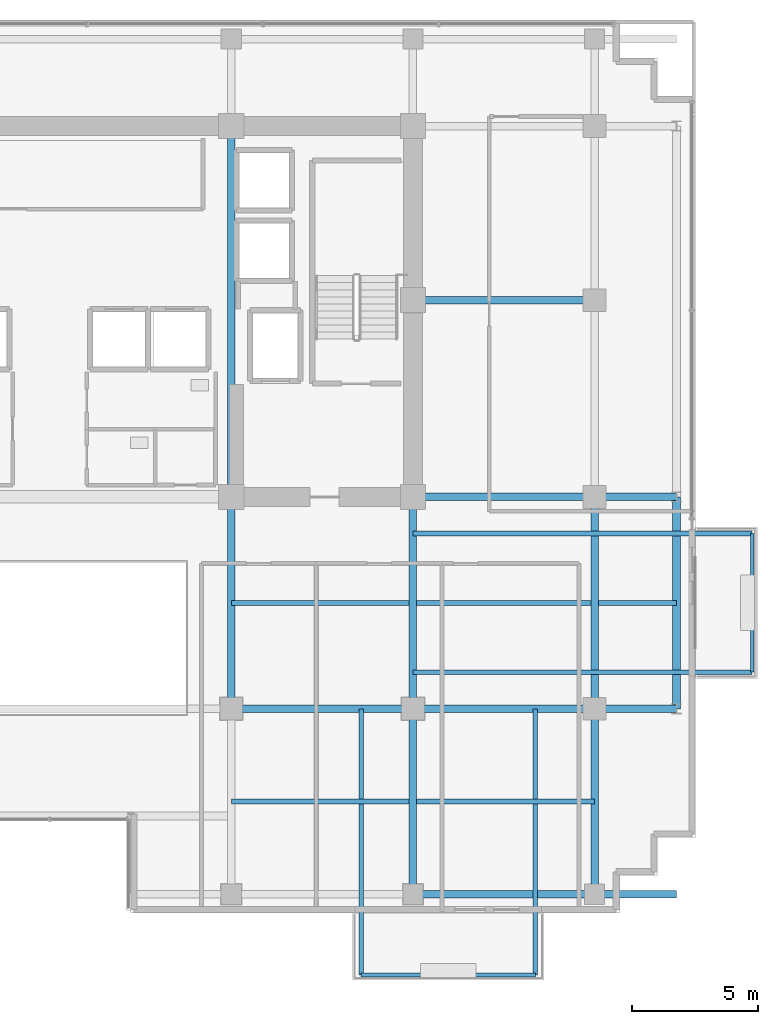
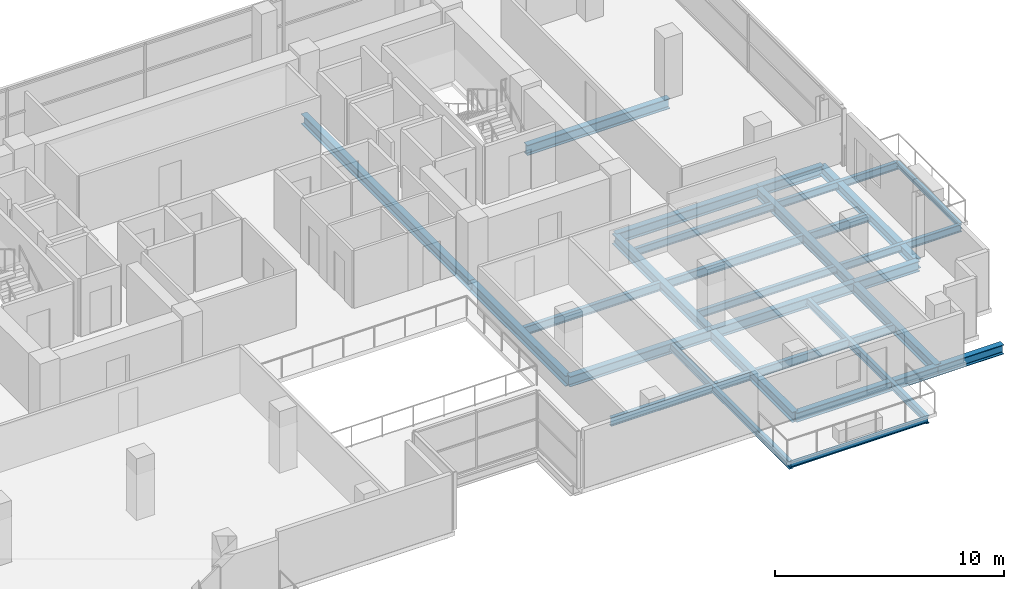
# One storey, part 12 of 27: 26 beams.
"""IFC4 building model written with IfcOpenShell, lengths in metres."""

from ifc_helpers import new_model, si_unit, direction, frame, origin, origin_2d, place, context, subcontext, project, spatial, i_section, extrude, material, material_profile, profile_set, type_object, element, save


model = new_model("IFC4")

# Units and contexts
model_context = context("Model", 3, precision=1e-05, world=origin(), true_north=direction((0.0, 1.0)))
body_context = subcontext(model_context, "Body", "Model", "MODEL_VIEW")
ifc_project = project(units=[si_unit("LENGTHUNIT", "METRE"), si_unit("AREAUNIT", "SQUARE_METRE"), si_unit("VOLUMEUNIT", "CUBIC_METRE"), si_unit("PLANEANGLEUNIT", "RADIAN"), si_unit("MASSUNIT", "GRAM", prefix="KILO")], contexts=[model_context])

# Site, building, storey
site_placement = place(None, origin())
site = spatial("IfcSite", under=ifc_project, at=site_placement, CompositionType="ELEMENT")
building_placement = place(site_placement, origin())
building = spatial("IfcBuilding", under=site, at=building_placement, Name="Zarnakvel Exchange Tower", CompositionType="ELEMENT")
storey_placement = place(building_placement, frame((0.0, 0.0, 106.60009765625)))
storey = spatial("IfcBuildingStorey", under=building, at=storey_placement, Name="L29", CompositionType="ELEMENT", Elevation=106.60009765625)

# Beams
ifc_material = material(Name="Steel S355", Category="steel")
ifc_material_profile_1 = material_profile(ifc_material, i_section(OverallWidth=0.18994140625, OverallDepth=0.449951171875, WebThickness=0.009521484375, FlangeThickness=0.0146484375, FilletRadius=0.02099609375, at=origin_2d()))
ifc_profile_set_1 = profile_set([ifc_material_profile_1], Name="Steel S355")
beam_type_1 = type_object("IfcBeamType", Name="B-05", PredefinedType="JOIST", material=ifc_profile_set_1)
for number, where, z_axis, x_axis, name in (
    (1, (7.199951171875, -13.27490234375, -0.4501953125), (1.0, 0.0, 0.0), (0.0, 1.0, 0.0), "L29 Composite Floor Secondary Joist"),
    (2, (14.550048828125, -13.27490234375, -0.4501953125), (1.0, 0.0, 0.0), (0.0, 1.0, 0.0), "L29 Composite Floor Secondary Joist"),
    (3, (7.199951171875, -5.39990234375, -0.4501953125), (1.0, 0.0, 0.0), (0.0, 1.0, 0.0), "L29 Composite Floor Secondary Joist"),
):
    element("IfcBeam", number, at=place(storey_placement, frame(where, z_axis=z_axis, x_axis=x_axis)), inside=storey, type_object=beam_type_1, Name=name, PredefinedType="JOIST", context=body_context, shape_type="SweptSolid", body=[
        extrude(i_section(OverallWidth=0.18994140625, OverallDepth=0.449951171875, WebThickness=0.009521484375, FlangeThickness=0.0146484375, FilletRadius=0.02099609375, at=origin_2d()), origin(), (0.0, 0.0, 1.0), 7.050048828125),
    ])
beam_1_placement = place(storey_placement, frame((14.550048828125, -5.39990234375, -0.4501953125), z_axis=(1.0, 0.0, 0.0), x_axis=(0.0, 1.0, 0.0)))
element("IfcBeam", 4, at=beam_1_placement, inside=storey, type_object=beam_type_1, Name="L29 Composite Floor Secondary Joist", PredefinedType="JOIST", context=body_context, shape_type="SweptSolid", body=[
    extrude(i_section(OverallWidth=0.18994140625, OverallDepth=0.449951171875, WebThickness=0.009521484375, FlangeThickness=0.0146484375, FilletRadius=0.02099609375, at=origin_2d()), origin(), (0.0, 0.0, 1.0), 6.89990234375),
])
beam_2_placement = place(storey_placement, frame((21.75, -5.39990234375, -0.4501953125), z_axis=(1.0, 0.0, 0.0), x_axis=(0.0, 1.0, 0.0)))
element("IfcBeam", 5, at=beam_2_placement, inside=storey, type_object=beam_type_1, Name="L29 Composite Floor Secondary Joist", PredefinedType="JOIST", context=body_context, shape_type="SweptSolid", body=[
    extrude(i_section(OverallWidth=0.18994140625, OverallDepth=0.449951171875, WebThickness=0.009521484375, FlangeThickness=0.0146484375, FilletRadius=0.02099609375, at=origin_2d()), origin(), (0.0, 0.0, 1.0), 3.10009765625),
])
ifc_material_profile_2 = material_profile(ifc_material, i_section(OverallWidth=0.179931640625, OverallDepth=0.39990234375, WebThickness=0.008544921875, FlangeThickness=0.013427734375, FilletRadius=0.02099609375, at=origin_2d()))
ifc_profile_set_2 = profile_set([ifc_material_profile_2], Name="Steel S355")
beam_type_2 = type_object("IfcBeamType", Name="B-06", PredefinedType="JOIST", material=ifc_profile_set_2)
for number, where, z_axis, x_axis, name in (
    (6, (12.35009765625, -9.60009765625, -0.425048828125), (0.0, -1.0, 0.0), (1.0, 0.0, 0.0), "L29 Continuous Back-Spanned Balcony Beam W"),
    (7, (19.25, -9.60009765625, -0.425048828125), (0.0, -1.0, 0.0), (1.0, 0.0, 0.0), "L29 Continuous Back-Spanned Balcony Beam E"),
):
    element("IfcBeam", number, at=place(storey_placement, frame(where, z_axis=z_axis, x_axis=x_axis)), inside=storey, type_object=beam_type_2, Name=name, PredefinedType="JOIST", context=body_context, shape_type="SweptSolid", body=[
        extrude(i_section(OverallWidth=0.179931640625, OverallDepth=0.39990234375, WebThickness=0.008544921875, FlangeThickness=0.013427734375, FilletRadius=0.02099609375, at=origin_2d()), origin(), (0.0, 0.0, 1.0), 10.5498046875),
    ])
for number, where, z_axis, x_axis, name in (
    (8, (14.39990234375, -8.14990234375, -0.425048828125), (1.0, 0.0, 0.0), (0.0, 1.0, 0.0), "L29 Continuous East Loggia Beam S"),
    (9, (14.39990234375, -2.64990234375, -0.425048828125), (1.0, 0.0, 0.0), (0.0, 1.0, 0.0), "L29 Continuous East Loggia Beam N"),
):
    element("IfcBeam", number, at=place(storey_placement, frame(where, z_axis=z_axis, x_axis=x_axis)), inside=storey, type_object=beam_type_2, Name=name, PredefinedType="JOIST", context=body_context, shape_type="SweptSolid", body=[
        extrude(i_section(OverallWidth=0.179931640625, OverallDepth=0.39990234375, WebThickness=0.008544921875, FlangeThickness=0.013427734375, FilletRadius=0.02099609375, at=origin_2d()), origin(), (0.0, 0.0, 1.0), 13.4501953125),
    ])
ifc_material_profile_3 = material_profile(ifc_material, i_section(OverallWidth=0.14990234375, OverallDepth=0.300048828125, WebThickness=0.007080078125, FlangeThickness=0.0107421875, FilletRadius=0.014892578125, at=origin_2d()))
ifc_profile_set_3 = profile_set([ifc_material_profile_3], Name="Steel S355")
beam_type_3 = type_object("IfcBeamType", Name="B-08", PredefinedType="JOIST", material=ifc_profile_set_3)
beam_3_placement = place(storey_placement, frame((12.35009765625, -20.14990234375, -0.375), z_axis=(1.0, 0.0, 0.0), x_axis=(0.0, 1.0, 0.0)))
element("IfcBeam", 10, at=beam_3_placement, inside=storey, type_object=beam_type_3, Name="L29 Balcony Edge Beam", PredefinedType="JOIST", context=body_context, shape_type="SweptSolid", body=[
    extrude(i_section(OverallWidth=0.14990234375, OverallDepth=0.300048828125, WebThickness=0.007080078125, FlangeThickness=0.0107421875, FilletRadius=0.014892578125, at=origin_2d()), origin(), (0.0, 0.0, 1.0), 6.89990234375),
])
beam_4_placement = place(storey_placement, frame((27.85009765625, -8.14990234375, -0.375), z_axis=(0.0, 1.0, 0.0), x_axis=(-1.0, 0.0, 0.0)))
element("IfcBeam", 11, at=beam_4_placement, inside=storey, type_object=beam_type_3, Name="L29 East Loggia Edge Beam", PredefinedType="JOIST", context=body_context, shape_type="SweptSolid", body=[
    extrude(i_section(OverallWidth=0.14990234375, OverallDepth=0.300048828125, WebThickness=0.007080078125, FlangeThickness=0.0107421875, FilletRadius=0.014892578125, at=origin_2d()), origin(), (0.0, 0.0, 1.0), 5.5),
])
ifc_material_profile_4 = material_profile(ifc_material, i_section(OverallWidth=0.300048828125, OverallDepth=0.550048828125, WebThickness=0.014892578125, FlangeThickness=0.029052734375, FilletRadius=0.027099609375, at=origin_2d()))
ifc_profile_set_4 = profile_set([ifc_material_profile_4], Name="Steel S355")
beam_type_4 = type_object("IfcBeamType", Name="G-05", PredefinedType="BEAM", material=ifc_profile_set_4)
beam_5_placement = place(storey_placement, frame((7.199951171875, -9.60009765625, -0.5), z_axis=(1.0, 0.0, 0.0), x_axis=(0.0, 1.0, 0.0)))
element("IfcBeam", 12, at=beam_5_placement, inside=storey, type_object=beam_type_4, Name="L29 Tower E-W Frame Beam", PredefinedType="BEAM", context=body_context, shape_type="SweptSolid", body=[
    extrude(i_section(OverallWidth=0.300048828125, OverallDepth=0.550048828125, WebThickness=0.014892578125, FlangeThickness=0.029052734375, FilletRadius=0.027099609375, at=origin_2d()), origin(), (0.0, 0.0, 1.0), 7.199951171875),
])
beam_6_placement = place(storey_placement, frame((14.39990234375, -9.60009765625, -0.5), z_axis=(1.0, 0.0, 0.0), x_axis=(0.0, 1.0, 0.0)))
element("IfcBeam", 13, at=beam_6_placement, inside=storey, type_object=beam_type_4, Name="L29 Tower E-W Frame Beam", PredefinedType="BEAM", context=body_context, shape_type="SweptSolid", body=[
    extrude(i_section(OverallWidth=0.300048828125, OverallDepth=0.550048828125, WebThickness=0.014892578125, FlangeThickness=0.029052734375, FilletRadius=0.027099609375, at=origin_2d()), origin(), (0.0, 0.0, 1.0), 7.2001953125),
])
beam_7_placement = place(storey_placement, frame((21.60009765625, -9.60009765625, -0.5), z_axis=(1.0, 0.0, 0.0), x_axis=(0.0, 1.0, 0.0)))
element("IfcBeam", 14, at=beam_7_placement, inside=storey, type_object=beam_type_4, Name="L29 Tower E-W Frame Beam", PredefinedType="BEAM", context=body_context, shape_type="SweptSolid", body=[
    extrude(i_section(OverallWidth=0.300048828125, OverallDepth=0.550048828125, WebThickness=0.014892578125, FlangeThickness=0.029052734375, FilletRadius=0.027099609375, at=origin_2d()), origin(), (0.0, 0.0, 1.0), 3.25),
])
beam_8_placement = place(storey_placement, frame((14.39990234375, -1.199951171875, -0.5), z_axis=(1.0, 0.0, 0.0), x_axis=(0.0, 1.0, 0.0)))
element("IfcBeam", 15, at=beam_8_placement, inside=storey, type_object=beam_type_4, Name="L29 Tower E-W Frame Beam", PredefinedType="BEAM", context=body_context, shape_type="SweptSolid", body=[
    extrude(i_section(OverallWidth=0.300048828125, OverallDepth=0.550048828125, WebThickness=0.014892578125, FlangeThickness=0.029052734375, FilletRadius=0.027099609375, at=origin_2d()), origin(), (0.0, 0.0, 1.0), 7.2001953125),
])
beam_9_placement = place(storey_placement, frame((21.60009765625, -1.199951171875, -0.5), z_axis=(1.0, 0.0, 0.0), x_axis=(0.0, 1.0, 0.0)))
element("IfcBeam", 16, at=beam_9_placement, inside=storey, type_object=beam_type_4, Name="L29 Tower E-W Frame Beam", PredefinedType="BEAM", context=body_context, shape_type="SweptSolid", body=[
    extrude(i_section(OverallWidth=0.300048828125, OverallDepth=0.550048828125, WebThickness=0.014892578125, FlangeThickness=0.029052734375, FilletRadius=0.027099609375, at=origin_2d()), origin(), (0.0, 0.0, 1.0), 3.25),
])
beam_10_placement = place(storey_placement, frame((14.39990234375, 6.60009765625, -0.5), z_axis=(1.0, 0.0, 0.0), x_axis=(0.0, 1.0, 0.0)))
element("IfcBeam", 17, at=beam_10_placement, inside=storey, type_object=beam_type_4, Name="L29 Tower E-W Frame Beam", PredefinedType="BEAM", context=body_context, shape_type="SweptSolid", body=[
    extrude(i_section(OverallWidth=0.300048828125, OverallDepth=0.550048828125, WebThickness=0.014892578125, FlangeThickness=0.029052734375, FilletRadius=0.027099609375, at=origin_2d()), origin(), (0.0, 0.0, 1.0), 7.2001953125),
])
beam_11_placement = place(storey_placement, frame((7.199951171875, -9.60009765625, -0.5), z_axis=(0.0, 1.0, 0.0), x_axis=(-1.0, 0.0, 0.0)))
element("IfcBeam", 18, at=beam_11_placement, inside=storey, type_object=beam_type_4, Name="L29 Tower N-S Frame Beam", PredefinedType="BEAM", context=body_context, shape_type="SweptSolid", body=[
    extrude(i_section(OverallWidth=0.300048828125, OverallDepth=0.550048828125, WebThickness=0.014892578125, FlangeThickness=0.029052734375, FilletRadius=0.027099609375, at=origin_2d()), origin(), (0.0, 0.0, 1.0), 8.400146484375),
])
beam_12_placement = place(storey_placement, frame((7.199951171875, -1.199951171875, -0.5), z_axis=(0.0, 1.0, 0.0), x_axis=(-1.0, 0.0, 0.0)))
element("IfcBeam", 19, at=beam_12_placement, inside=storey, type_object=beam_type_4, Name="L29 Tower N-S Frame Beam", PredefinedType="BEAM", context=body_context, shape_type="SweptSolid", body=[
    extrude(i_section(OverallWidth=0.300048828125, OverallDepth=0.550048828125, WebThickness=0.014892578125, FlangeThickness=0.029052734375, FilletRadius=0.027099609375, at=origin_2d()), origin(), (0.0, 0.0, 1.0), 14.699951171875),
])
beam_13_placement = place(storey_placement, frame((14.39990234375, -16.949951171875, -0.5), z_axis=(0.0, 1.0, 0.0), x_axis=(-1.0, 0.0, 0.0)))
element("IfcBeam", 20, at=beam_13_placement, inside=storey, type_object=beam_type_4, Name="L29 Tower N-S Frame Beam", PredefinedType="BEAM", context=body_context, shape_type="SweptSolid", body=[
    extrude(i_section(OverallWidth=0.300048828125, OverallDepth=0.550048828125, WebThickness=0.014892578125, FlangeThickness=0.029052734375, FilletRadius=0.027099609375, at=origin_2d()), origin(), (0.0, 0.0, 1.0), 7.349853515625),
])
beam_14_placement = place(storey_placement, frame((14.39990234375, -9.60009765625, -0.5), z_axis=(0.0, 1.0, 0.0), x_axis=(-1.0, 0.0, 0.0)))
element("IfcBeam", 21, at=beam_14_placement, inside=storey, type_object=beam_type_4, Name="L29 Tower N-S Frame Beam", PredefinedType="BEAM", context=body_context, shape_type="SweptSolid", body=[
    extrude(i_section(OverallWidth=0.300048828125, OverallDepth=0.550048828125, WebThickness=0.014892578125, FlangeThickness=0.029052734375, FilletRadius=0.027099609375, at=origin_2d()), origin(), (0.0, 0.0, 1.0), 8.400146484375),
])
beam_15_placement = place(storey_placement, frame((21.60009765625, -16.949951171875, -0.5), z_axis=(0.0, 1.0, 0.0), x_axis=(-1.0, 0.0, 0.0)))
element("IfcBeam", 22, at=beam_15_placement, inside=storey, type_object=beam_type_4, Name="L29 Tower N-S Frame Beam", PredefinedType="BEAM", context=body_context, shape_type="SweptSolid", body=[
    extrude(i_section(OverallWidth=0.300048828125, OverallDepth=0.550048828125, WebThickness=0.014892578125, FlangeThickness=0.029052734375, FilletRadius=0.027099609375, at=origin_2d()), origin(), (0.0, 0.0, 1.0), 7.349853515625),
])
beam_16_placement = place(storey_placement, frame((21.60009765625, -9.60009765625, -0.5), z_axis=(0.0, 1.0, 0.0), x_axis=(-1.0, 0.0, 0.0)))
element("IfcBeam", 23, at=beam_16_placement, inside=storey, type_object=beam_type_4, Name="L29 Tower N-S Frame Beam", PredefinedType="BEAM", context=body_context, shape_type="SweptSolid", body=[
    extrude(i_section(OverallWidth=0.300048828125, OverallDepth=0.550048828125, WebThickness=0.014892578125, FlangeThickness=0.029052734375, FilletRadius=0.027099609375, at=origin_2d()), origin(), (0.0, 0.0, 1.0), 8.400146484375),
])
ifc_material_profile_5 = material_profile(ifc_material, i_section(OverallWidth=0.300048828125, OverallDepth=0.5, WebThickness=0.014404296875, FlangeThickness=0.028076171875, FilletRadius=0.027099609375, at=origin_2d()))
ifc_profile_set_5 = profile_set([ifc_material_profile_5], Name="Steel S355")
beam_type_5 = type_object("IfcBeamType", Name="SP-02", PredefinedType="SPANDREL", material=ifc_profile_set_5)
beam_17_placement = place(storey_placement, frame((14.39990234375, -16.949951171875, -0.47509765625), z_axis=(1.0, 0.0, 0.0), x_axis=(0.0, 1.0, 0.0)))
element("IfcBeam", 24, at=beam_17_placement, inside=storey, type_object=beam_type_5, Name="L29 Tower E-W Frame Beam", PredefinedType="SPANDREL", context=body_context, shape_type="SweptSolid", body=[
    extrude(i_section(OverallWidth=0.300048828125, OverallDepth=0.5, WebThickness=0.014404296875, FlangeThickness=0.028076171875, FilletRadius=0.027099609375, at=origin_2d()), origin(), (0.0, 0.0, 1.0), 7.2001953125),
])
beam_18_placement = place(storey_placement, frame((24.85009765625, -9.60009765625, -0.47509765625), z_axis=(0.0, 1.0, 0.0), x_axis=(-1.0, 0.0, 0.0)))
element("IfcBeam", 25, at=beam_18_placement, inside=storey, type_object=beam_type_5, Name="L29 Tower N-S Frame Beam", PredefinedType="SPANDREL", context=body_context, shape_type="SweptSolid", body=[
    extrude(i_section(OverallWidth=0.300048828125, OverallDepth=0.5, WebThickness=0.014404296875, FlangeThickness=0.028076171875, FilletRadius=0.027099609375, at=origin_2d()), origin(), (0.0, 0.0, 1.0), 8.400146484375),
])
beam_19_placement = place(storey_placement, frame((21.60009765625, -16.949951171875, -0.47509765625), z_axis=(1.0, 0.0, 0.0), x_axis=(0.0, 1.0, 0.0)))
element("IfcBeam", 26, at=beam_19_placement, inside=storey, type_object=beam_type_5, Name="L29 South-East Corner Spandrel", PredefinedType="SPANDREL", context=body_context, shape_type="SweptSolid", body=[
    extrude(i_section(OverallWidth=0.300048828125, OverallDepth=0.5, WebThickness=0.014404296875, FlangeThickness=0.028076171875, FilletRadius=0.027099609375, at=origin_2d()), origin(), (0.0, 0.0, 1.0), 3.25),
])

save(model, "model.ifc")
